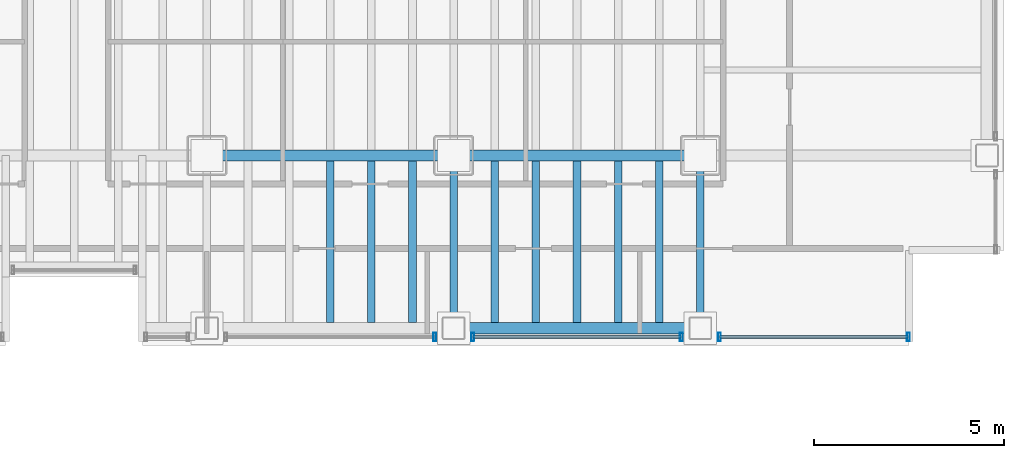
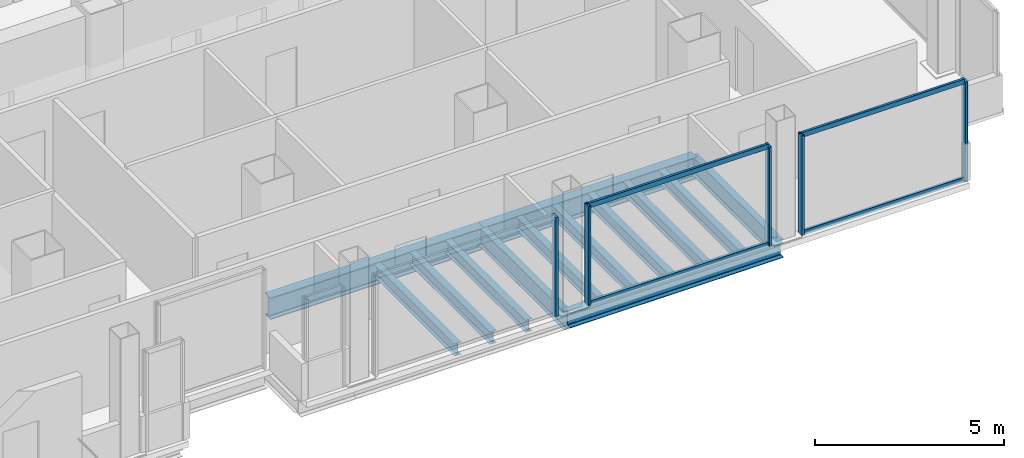
# One storey, part 9 of 21: 13 beams, 9 members, 3 elements without a shape of their own.
"""IFC4 building model written with IfcOpenShell, lengths in metres."""

from ifc_helpers import new_model, si_unit, direction, frame, origin, origin_2d, place, context, subcontext, project, spatial, hollow_rectangle, i_section, extrude, material, material_profile, profile_set, type_object, element, aggregate, save


model = new_model("IFC4")

# Units and contexts
model_context = context("Model", 3, precision=1e-05, world=origin(), true_north=direction((0.0, 1.0)))
body_context = subcontext(model_context, "Body", "Model", "MODEL_VIEW")
ifc_project = project(units=[si_unit("LENGTHUNIT", "METRE"), si_unit("AREAUNIT", "SQUARE_METRE"), si_unit("VOLUMEUNIT", "CUBIC_METRE"), si_unit("PLANEANGLEUNIT", "RADIAN"), si_unit("MASSUNIT", "GRAM", prefix="KILO")], contexts=[model_context])

# Site, building, storey
site_placement = place(None, origin())
site = spatial("IfcSite", under=ifc_project, at=site_placement, CompositionType="ELEMENT")
building_placement = place(site_placement, origin())
building = spatial("IfcBuilding", under=site, at=building_placement, Name="Noeulbin Bourse Tower", CompositionType="ELEMENT")
storey_placement = place(building_placement, frame((0.0, 0.0, 30.39990234375)))
storey = spatial("IfcBuildingStorey", under=building, at=storey_placement, Name="L07", CompositionType="ELEMENT", Elevation=30.39990234375)

# Beams
ifc_material_1 = material(Name="Steel S355", Category="steel")
ifc_material_profile_1 = material_profile(ifc_material_1, i_section(OverallWidth=0.199951171875, OverallDepth=0.60009765625, WebThickness=0.010986328125, FlangeThickness=0.01708984375, FilletRadius=0.02197265625, at=origin_2d()), Name="H-600x200x11x17", Category="LoadBearing")
ifc_profile_set_1 = profile_set([ifc_material_profile_1], Name="Steel S355")
beam_type_1 = type_object("IfcBeamType", Name="BM-GRD-600", PredefinedType="USERDEFINED", material=ifc_profile_set_1)
for number, where, z_axis, x_axis, name in (
    (1, (37.5, 15.449951171875, -0.47998046875), (0.0, 1.0, 0.0), (-1.0, 0.0, 0.0), "Tower Primary Girder NS L07-4.1"),
    (2, (44.0, 15.449951171875, -0.47998046875), (0.0, 1.0, 0.0), (-1.0, 0.0, 0.0), "Tower Primary Girder NS L07-5.1"),
):
    element("IfcBeam", number, at=place(storey_placement, frame(where, z_axis=z_axis, x_axis=x_axis)), inside=storey, type_object=beam_type_1, Name=name, ObjectType="GIRDER", PredefinedType="USERDEFINED", context=body_context, shape_type="SweptSolid", body=[
        extrude(i_section(OverallWidth=0.199951171875, OverallDepth=0.60009765625, WebThickness=0.010986328125, FlangeThickness=0.01708984375, FilletRadius=0.02197265625, at=origin_2d()), origin(), (0.0, 0.0, 1.0), 4.550048828125),
    ])
ifc_material_profile_2 = material_profile(ifc_material_1, i_section(OverallWidth=0.300048828125, OverallDepth=0.699951171875, WebThickness=0.012939453125, FlangeThickness=0.02392578125, FilletRadius=0.02392578125, at=origin_2d()), Name="H-700x300x13x24", Category="LoadBearing")
ifc_profile_set_2 = profile_set([ifc_material_profile_2], Name="Steel S355")
beam_type_2 = type_object("IfcBeamType", Name="BM-GRD-700", PredefinedType="USERDEFINED", material=ifc_profile_set_2)
for number, where, z_axis, x_axis, name in (
    (3, (31.0, 20.0, -0.52978515625), (1.0, 0.0, 0.0), (0.0, 1.0, 0.0), "Tower Primary Girder EW L07-1.4"),
    (4, (37.5, 20.0, -0.52978515625), (1.0, 0.0, 0.0), (0.0, 1.0, 0.0), "Tower Primary Girder EW L07-1.5"),
):
    element("IfcBeam", number, at=place(storey_placement, frame(where, z_axis=z_axis, x_axis=x_axis)), inside=storey, type_object=beam_type_2, Name=name, ObjectType="GIRDER", PredefinedType="USERDEFINED", context=body_context, shape_type="SweptSolid", body=[
        extrude(i_section(OverallWidth=0.300048828125, OverallDepth=0.699951171875, WebThickness=0.012939453125, FlangeThickness=0.02392578125, FilletRadius=0.02392578125, at=origin_2d()), origin(), (0.0, 0.0, 1.0), 6.5),
    ])
ifc_material_profile_3 = material_profile(ifc_material_1, i_section(OverallWidth=0.199951171875, OverallDepth=0.39990234375, WebThickness=0.008056640625, FlangeThickness=0.012939453125, FilletRadius=0.01611328125, at=origin_2d()), Name="H-400x200x8x13", Category="LoadBearing")
ifc_profile_set_3 = profile_set([ifc_material_profile_3], Name="Steel S355")
beam_type_3 = type_object("IfcBeamType", Name="BM-SEC-400", PredefinedType="BEAM", material=ifc_profile_set_3)
for number, where, z_axis, x_axis, name in (
    (5, (34.25, 15.60009765625, -0.3798828125), (0.0, 1.0, 0.0), (-1.0, 0.0, 0.0), "Tower Composite Joist L07-45"),
    (6, (35.333251953125, 15.60009765625, -0.3798828125), (0.0, 1.0, 0.0), (-1.0, 0.0, 0.0), "Tower Composite Joist L07-48"),
    (7, (36.416748046875, 15.60009765625, -0.3798828125), (0.0, 1.0, 0.0), (-1.0, 0.0, 0.0), "Tower Composite Joist L07-51"),
    (8, (38.583251953125, 15.60009765625, -0.3798828125), (0.0, 1.0, 0.0), (-1.0, 0.0, 0.0), "Tower Composite Joist L07-54"),
    (9, (39.666748046875, 15.60009765625, -0.3798828125), (0.0, 1.0, 0.0), (-1.0, 0.0, 0.0), "Tower Composite Joist L07-57"),
    (10, (40.75, 15.60009765625, -0.3798828125), (0.0, 1.0, 0.0), (-1.0, 0.0, 0.0), "Tower Composite Joist L07-60"),
    (11, (41.833251953125, 15.60009765625, -0.3798828125), (0.0, 1.0, 0.0), (-1.0, 0.0, 0.0), "Tower Composite Joist L07-63"),
    (12, (42.916748046875, 15.60009765625, -0.3798828125), (0.0, 1.0, 0.0), (-1.0, 0.0, 0.0), "Tower Composite Joist L07-66"),
):
    element("IfcBeam", number, at=place(storey_placement, frame(where, z_axis=z_axis, x_axis=x_axis)), inside=storey, type_object=beam_type_3, Name=name, PredefinedType="BEAM", context=body_context, shape_type="SweptSolid", body=[
        extrude(i_section(OverallWidth=0.199951171875, OverallDepth=0.39990234375, WebThickness=0.008056640625, FlangeThickness=0.012939453125, FilletRadius=0.01611328125, at=origin_2d()), origin(), (0.0, 0.0, 1.0), 4.25),
    ])
ifc_material_profile_4 = material_profile(ifc_material_1, i_section(OverallWidth=0.300048828125, OverallDepth=0.488037109375, WebThickness=0.010986328125, FlangeThickness=0.01806640625, FilletRadius=0.02197265625, at=origin_2d()), Name="H-488x300x11x18", Category="LoadBearing")
ifc_profile_set_4 = profile_set([ifc_material_profile_4], Name="Steel S355")
beam_type_4 = type_object("IfcBeamType", Name="BM-SPN-488", PredefinedType="SPANDREL", material=ifc_profile_set_4)
beam_placement = place(storey_placement, frame((37.5, 15.449951171875, -0.423828125), z_axis=(1.0, 0.0, 0.0), x_axis=(0.0, 1.0, 0.0)))
element("IfcBeam", 13, at=beam_placement, inside=storey, type_object=beam_type_4, Name="South Spandrel L07-4", PredefinedType="SPANDREL", context=body_context, shape_type="SweptSolid", body=[
    extrude(i_section(OverallWidth=0.300048828125, OverallDepth=0.488037109375, WebThickness=0.010986328125, FlangeThickness=0.01806640625, FilletRadius=0.02197265625, at=origin_2d()), origin(), (0.0, 0.0, 1.0), 6.5),
])

# Curtain wall, member
ifc_material_2 = material(Name="Dark Solar-Control Double Glazing", Category="glass")
curtain_wall_type = type_object("IfcCurtainWallType", Name="CW-SYS-2", PredefinedType="NOTDEFINED", material=ifc_material_2)
curtain_wall_1_placement = place(storey_placement, origin())
curtain_wall_1 = element("IfcCurtainWall", 14, at=curtain_wall_1_placement, inside=storey, type_object=curtain_wall_type, Name="Unitised Curtain Wall CW-L07-S3-S2", PredefinedType="NOTDEFINED")
ifc_material_3 = material(Name="Anodised Aluminium 6063-T6", Category="aluminium")
ifc_material_profile_5 = material_profile(ifc_material_3, hollow_rectangle(XDim=0.074951171875, YDim=0.219970703125, WallThickness=0.0048828125, InnerFilletRadius=0.00244140625, OuterFilletRadius=0.0048828125, at=origin_2d()), Name="ALU-MULL-75x220x5", Category="LoadBearing")
ifc_profile_set_5 = profile_set([ifc_material_profile_5], Name="Anodised Aluminium 6063-T6")
member_type_1 = type_object("IfcMemberType", Name="CW-SYS-2-MUL", PredefinedType="MULLION", material=ifc_profile_set_5)
member_1_placement = place(storey_placement, frame((37.0, 15.219970703125, -0.02001953125), z_axis=(0.0, 0.0, 1.0), x_axis=(1.0, 0.0, 0.0)))
member_1 = element("IfcMember", 15, at=member_1_placement, type_object=member_type_1, Name="Curtain Wall Mullion CW-L07-S3-S2-M01", PredefinedType="MULLION", context=body_context, shape_type="SweptSolid", body=[
    extrude(hollow_rectangle(XDim=0.074951171875, YDim=0.219970703125, WallThickness=0.0048828125, InnerFilletRadius=0.00244140625, OuterFilletRadius=0.0048828125, at=origin_2d()), origin(), (0.0, 0.0, 1.0), 3.22021484375),
])
aggregate(curtain_wall_1, [member_1])

# Curtain wall, members
curtain_wall_2_placement = place(storey_placement, origin())
curtain_wall_2 = element("IfcCurtainWall", 16, at=curtain_wall_2_placement, inside=storey, type_object=curtain_wall_type, Name="Unitised Curtain Wall CW-L07-S3-S3", PredefinedType="NOTDEFINED")
member_2_placement = place(storey_placement, frame((38.0, 15.219970703125, -0.02001953125), z_axis=(0.0, 0.0, 1.0), x_axis=(1.0, 0.0, 0.0)))
member_2 = element("IfcMember", 17, at=member_2_placement, type_object=member_type_1, Name="Curtain Wall Mullion CW-L07-S3-S3-M00", PredefinedType="MULLION", context=body_context, shape_type="SweptSolid", body=[
    extrude(hollow_rectangle(XDim=0.074951171875, YDim=0.219970703125, WallThickness=0.0048828125, InnerFilletRadius=0.00244140625, OuterFilletRadius=0.0048828125, at=origin_2d()), origin(), (0.0, 0.0, 1.0), 3.22021484375),
])
member_3_placement = place(storey_placement, frame((43.5, 15.219970703125, -0.02001953125), z_axis=(0.0, 0.0, 1.0), x_axis=(1.0, 0.0, 0.0)))
member_3 = element("IfcMember", 18, at=member_3_placement, type_object=member_type_1, Name="Curtain Wall Mullion CW-L07-S3-S3-M01", PredefinedType="MULLION", context=body_context, shape_type="SweptSolid", body=[
    extrude(hollow_rectangle(XDim=0.074951171875, YDim=0.219970703125, WallThickness=0.0048828125, InnerFilletRadius=0.00244140625, OuterFilletRadius=0.0048828125, at=origin_2d()), origin(), (0.0, 0.0, 1.0), 3.22021484375),
])

curtain_wall_3_placement = place(storey_placement, origin())
curtain_wall_3 = element("IfcCurtainWall", 19, at=curtain_wall_3_placement, inside=storey, type_object=curtain_wall_type, Name="Unitised Curtain Wall CW-L07-S3-S4", PredefinedType="NOTDEFINED")
member_4_placement = place(storey_placement, frame((44.5, 15.219970703125, -0.02001953125), z_axis=(0.0, 0.0, 1.0), x_axis=(1.0, 0.0, 0.0)))
member_4 = element("IfcMember", 20, at=member_4_placement, type_object=member_type_1, Name="Curtain Wall Mullion CW-L07-S3-S4-M00", PredefinedType="MULLION", context=body_context, shape_type="SweptSolid", body=[
    extrude(hollow_rectangle(XDim=0.074951171875, YDim=0.219970703125, WallThickness=0.0048828125, InnerFilletRadius=0.00244140625, OuterFilletRadius=0.0048828125, at=origin_2d()), origin(), (0.0, 0.0, 1.0), 3.22021484375),
])
member_5_placement = place(storey_placement, frame((49.47998046875, 15.219970703125, -0.02001953125), z_axis=(0.0, 0.0, 1.0), x_axis=(1.0, 0.0, 0.0)))
member_5 = element("IfcMember", 21, at=member_5_placement, type_object=member_type_1, Name="Curtain Wall Mullion CW-L07-S3-S4-M01", PredefinedType="MULLION", context=body_context, shape_type="SweptSolid", body=[
    extrude(hollow_rectangle(XDim=0.074951171875, YDim=0.219970703125, WallThickness=0.0048828125, InnerFilletRadius=0.00244140625, OuterFilletRadius=0.0048828125, at=origin_2d()), origin(), (0.0, 0.0, 1.0), 3.22021484375),
])

# Member
ifc_material_profile_6 = material_profile(ifc_material_3, hollow_rectangle(XDim=0.074951171875, YDim=0.159912109375, WallThickness=0.0048828125, InnerFilletRadius=0.00244140625, OuterFilletRadius=0.0048828125, at=origin_2d()), Name="ALU-TRAN-75x160x5", Category="LoadBearing")
ifc_profile_set_6 = profile_set([ifc_material_profile_6], Name="Anodised Aluminium 6063-T6")
member_type_2 = type_object("IfcMemberType", Name="CW-SYS-2-TRN", PredefinedType="USERDEFINED", material=ifc_profile_set_6)
member_6_placement = place(storey_placement, frame((38.010009765625, 15.219970703125, 0.010009765625), z_axis=(1.0, 0.0, 0.0), x_axis=(0.0, 1.0, 0.0)))
member_6 = element("IfcMember", 22, at=member_6_placement, type_object=member_type_2, Name="Curtain Wall Transom CW-L07-S3-S3-T00", ObjectType="TRANSOM", PredefinedType="USERDEFINED", context=body_context, shape_type="SweptSolid", body=[
    extrude(hollow_rectangle(XDim=0.074951171875, YDim=0.159912109375, WallThickness=0.0048828125, InnerFilletRadius=0.00244140625, OuterFilletRadius=0.0048828125, at=origin_2d()), origin(), (0.0, 0.0, 1.0), 5.47998046875),
])

member_7_placement = place(storey_placement, frame((38.010009765625, 15.219970703125, 3.170166015625), z_axis=(1.0, 0.0, 0.0), x_axis=(0.0, 1.0, 0.0)))
member_7 = element("IfcMember", 23, at=member_7_placement, type_object=member_type_2, Name="Curtain Wall Transom CW-L07-S3-S3-T01", ObjectType="TRANSOM", PredefinedType="USERDEFINED", context=body_context, shape_type="SweptSolid", body=[
    extrude(hollow_rectangle(XDim=0.074951171875, YDim=0.159912109375, WallThickness=0.0048828125, InnerFilletRadius=0.00244140625, OuterFilletRadius=0.0048828125, at=origin_2d()), origin(), (0.0, 0.0, 1.0), 5.47998046875),
])

aggregate(curtain_wall_2, [member_2, member_3, member_6, member_7])

member_8_placement = place(storey_placement, frame((44.510009765625, 15.219970703125, 0.010009765625), z_axis=(1.0, 0.0, 0.0), x_axis=(0.0, 1.0, 0.0)))
member_8 = element("IfcMember", 24, at=member_8_placement, type_object=member_type_2, Name="Curtain Wall Transom CW-L07-S3-S4-T00", ObjectType="TRANSOM", PredefinedType="USERDEFINED", context=body_context, shape_type="SweptSolid", body=[
    extrude(hollow_rectangle(XDim=0.074951171875, YDim=0.159912109375, WallThickness=0.0048828125, InnerFilletRadius=0.00244140625, OuterFilletRadius=0.0048828125, at=origin_2d()), origin(), (0.0, 0.0, 1.0), 4.9599609375),
])

member_9_placement = place(storey_placement, frame((44.510009765625, 15.219970703125, 3.170166015625), z_axis=(1.0, 0.0, 0.0), x_axis=(0.0, 1.0, 0.0)))
member_9 = element("IfcMember", 25, at=member_9_placement, type_object=member_type_2, Name="Curtain Wall Transom CW-L07-S3-S4-T01", ObjectType="TRANSOM", PredefinedType="USERDEFINED", context=body_context, shape_type="SweptSolid", body=[
    extrude(hollow_rectangle(XDim=0.074951171875, YDim=0.159912109375, WallThickness=0.0048828125, InnerFilletRadius=0.00244140625, OuterFilletRadius=0.0048828125, at=origin_2d()), origin(), (0.0, 0.0, 1.0), 4.9599609375),
])

aggregate(curtain_wall_3, [member_4, member_5, member_8, member_9])

save(model, "model.ifc")
